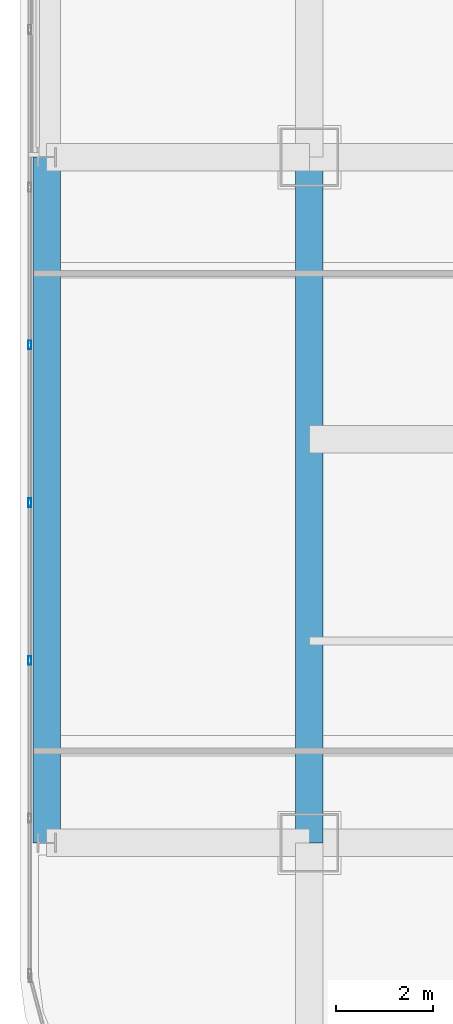
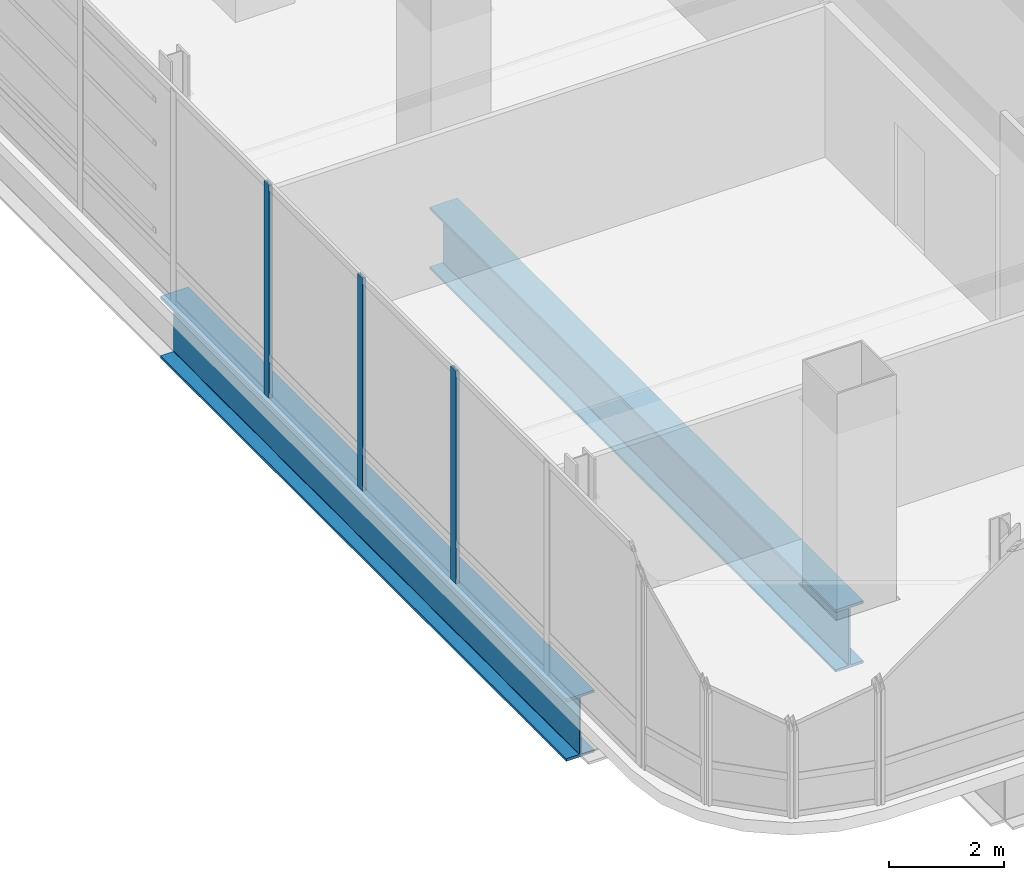
# One storey, part 5 of 45: 3 members, 2 beams, 1 element without a shape of its own.
"""IFC4 building model written with IfcOpenShell, lengths in metres."""

from ifc_helpers import new_model, si_unit, direction, frame, origin, origin_2d, place, context, subcontext, project, spatial, hollow_rectangle, i_section, extrude, material, material_profile, profile_set, type_object, element, aggregate, save


model = new_model("IFC4")

# Units and contexts
model_context = context("Model", 3, precision=1e-05, world=origin(), true_north=direction((0.0, 1.0)))
body_context = subcontext(model_context, "Body", "Model", "MODEL_VIEW")
ifc_project = project(units=[si_unit("LENGTHUNIT", "METRE"), si_unit("AREAUNIT", "SQUARE_METRE"), si_unit("VOLUMEUNIT", "CUBIC_METRE"), si_unit("PLANEANGLEUNIT", "RADIAN"), si_unit("MASSUNIT", "GRAM", prefix="KILO")], contexts=[model_context])

# Site, building, storey
site_placement = place(None, origin())
site = spatial("IfcSite", under=ifc_project, at=site_placement, CompositionType="ELEMENT")
building_placement = place(site_placement, origin())
building = spatial("IfcBuilding", under=site, at=building_placement, Name="Punatoya Terracotta Tower", CompositionType="ELEMENT")
storey_placement = place(building_placement, frame((0.0, 0.0, 339.0)))
storey = spatial("IfcBuildingStorey", under=building, at=storey_placement, Name="L80", CompositionType="ELEMENT", Elevation=339.0)

# Beams
ifc_material_1 = material(Name="Steel S460", Category="steel")
ifc_material_profile_1 = material_profile(ifc_material_1, i_section(OverallWidth=0.56005859375, OverallDepth=1.320068359375, WebThickness=0.035888671875, FlangeThickness=0.054931640625, FilletRadius=0.01806640625, at=origin_2d()))
ifc_profile_set_1 = profile_set([ifc_material_profile_1], Name="Steel S460")
beam_type = type_object("IfcBeamType", Name="BM-TG-BLK", PredefinedType="BEAM", material=ifc_profile_set_1)
for number, where, z_axis, x_axis, name in (
    (1, (-19.10009765625, -17.5, -0.919921875), (0.0, 1.0, 0.0), (-1.0, 0.0, 0.0), "BM-L80-RG-W1"),
    (2, (-24.5, -17.5, -0.919921875), (0.0, 1.0, 0.0), (-1.0, 0.0, 0.0), "BM-L80-PER-W1"),
):
    element("IfcBeam", number, at=place(storey_placement, frame(where, z_axis=z_axis, x_axis=x_axis)), inside=storey, type_object=beam_type, Name=name, PredefinedType="BEAM", context=body_context, shape_type="SweptSolid", body=[
        extrude(i_section(OverallWidth=0.56005859375, OverallDepth=1.320068359375, WebThickness=0.035888671875, FlangeThickness=0.054931640625, FilletRadius=0.01806640625, at=origin_2d()), origin(), (0.0, 0.0, 1.0), 14.10009765625),
    ])

# Curtain wall, members
ifc_material_2 = material(Name="Aluminium 6063-T6 + Double Low-E Glass", Category="aluminium")
curtain_wall_type = type_object("IfcCurtainWallType", Name="CW-OBS", PredefinedType="NOTDEFINED", material=ifc_material_2)
curtain_wall_placement = place(storey_placement, origin())
curtain_wall = element("IfcCurtainWall", 3, at=curtain_wall_placement, inside=storey, type_object=curtain_wall_type, Name="L80 Curtain Wall CW-L80-W13-1", PredefinedType="NOTDEFINED")
ifc_material_3 = material(Name="Aluminium 6063-T6", Category="aluminium")
ifc_material_profile_2 = material_profile(ifc_material_3, hollow_rectangle(XDim=0.070068359375, YDim=0.179931640625, WallThickness=0.00390625, at=origin_2d()))
ifc_profile_set_2 = profile_set([ifc_material_profile_2], Name="Aluminium 6063-T6")
member_type = type_object("IfcMemberType", Name="CW-MUL-M3", PredefinedType="MULLION", material=ifc_profile_set_2)
member_1_placement = place(storey_placement, frame((-24.85009765625, -7.2646484375, 0.0), z_axis=(0.0, 0.0, 1.0), x_axis=(1.0, 0.0, 0.0)))
member_1 = element("IfcMember", 4, at=member_1_placement, type_object=member_type, Name="CW-L80-W13-1 Mullion 07", PredefinedType="MULLION", context=body_context, shape_type="SweptSolid", body=[
    extrude(hollow_rectangle(XDim=0.070068359375, YDim=0.179931640625, WallThickness=0.00390625, at=origin_2d()), origin(), (0.0, 0.0, 1.0), 4.52001953125),
])
member_2_placement = place(storey_placement, frame((-24.85009765625, -10.5078125, 0.0), z_axis=(0.0, 0.0, 1.0), x_axis=(1.0, 0.0, 0.0)))
member_2 = element("IfcMember", 5, at=member_2_placement, type_object=member_type, Name="CW-L80-W13-1 Mullion 08", PredefinedType="MULLION", context=body_context, shape_type="SweptSolid", body=[
    extrude(hollow_rectangle(XDim=0.070068359375, YDim=0.179931640625, WallThickness=0.00390625, at=origin_2d()), origin(), (0.0, 0.0, 1.0), 4.52001953125),
])
member_3_placement = place(storey_placement, frame((-24.85009765625, -13.750732421875, 0.0), z_axis=(0.0, 0.0, 1.0), x_axis=(1.0, 0.0, 0.0)))
member_3 = element("IfcMember", 6, at=member_3_placement, type_object=member_type, Name="CW-L80-W13-1 Mullion 09", PredefinedType="MULLION", context=body_context, shape_type="SweptSolid", body=[
    extrude(hollow_rectangle(XDim=0.070068359375, YDim=0.179931640625, WallThickness=0.00390625, at=origin_2d()), origin(), (0.0, 0.0, 1.0), 4.52001953125),
])
aggregate(curtain_wall, [member_1, member_2, member_3])

save(model, "model.ifc")
